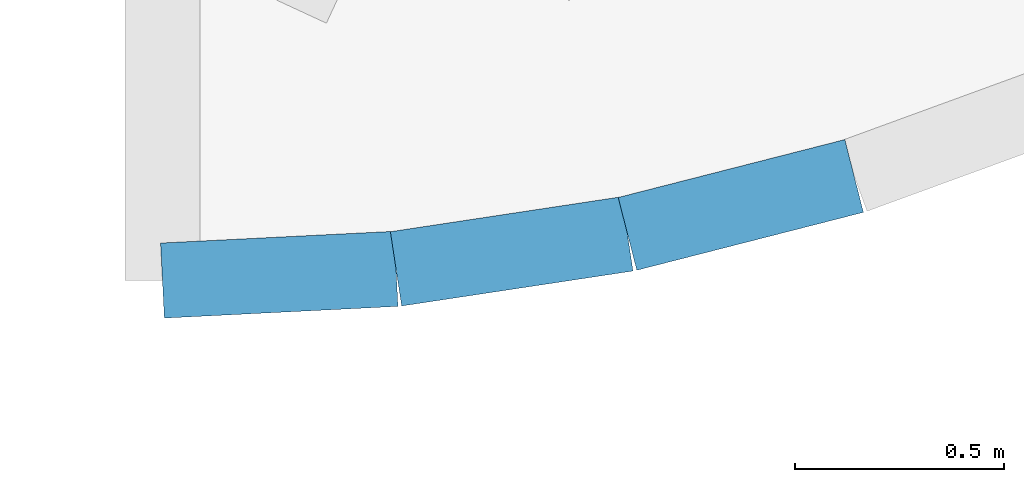
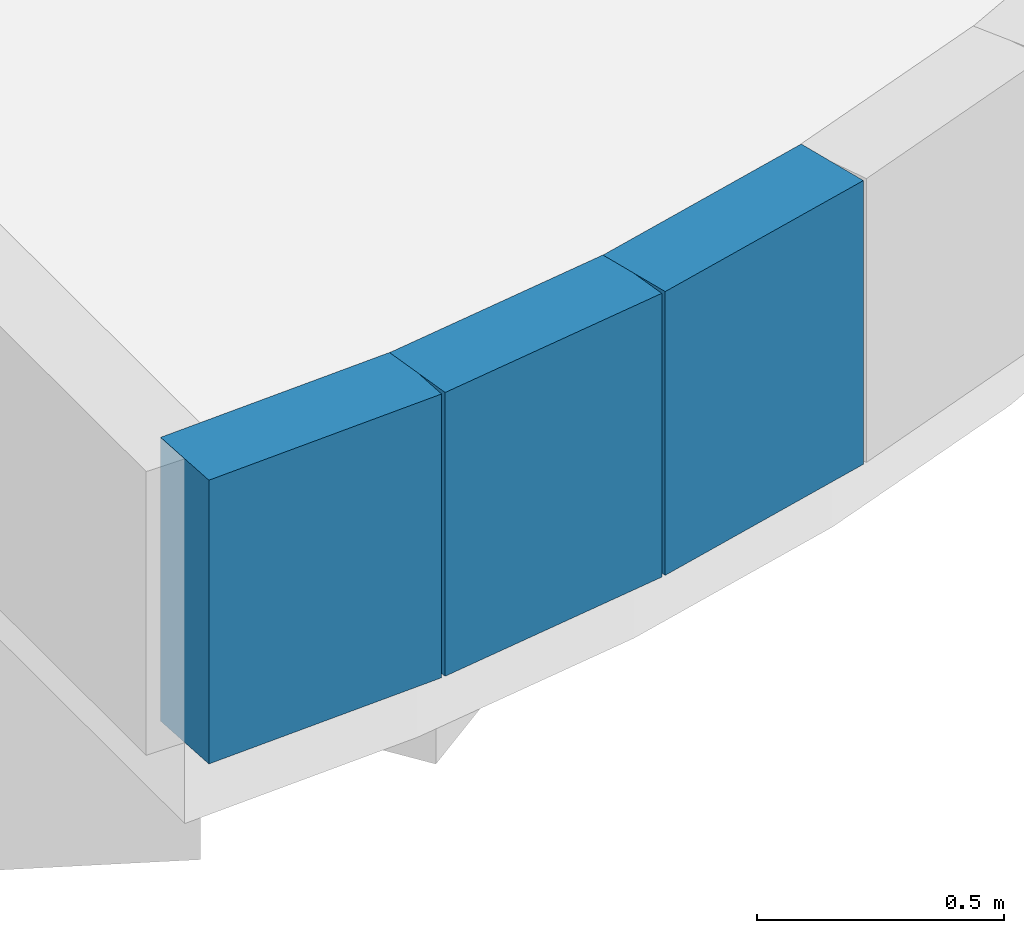
# One storey, part 78 of 93: 3 walls.
"""IFC4 building model written with IfcOpenShell, lengths in metres."""

from ifc_helpers import new_model, si_unit, direction, frame, frame_2d, origin, place, context, subcontext, project, spatial, rectangle, extrude, material, layer, layer_set, type_object, element, save


model = new_model("IFC4")

# Units and contexts
model_context = context("Model", 3, precision=1e-05, world=origin(), true_north=direction((0.0, 1.0)))
body_context = subcontext(model_context, "Body", "Model", "MODEL_VIEW")
ifc_project = project(units=[si_unit("LENGTHUNIT", "METRE"), si_unit("AREAUNIT", "SQUARE_METRE"), si_unit("VOLUMEUNIT", "CUBIC_METRE"), si_unit("PLANEANGLEUNIT", "RADIAN"), si_unit("MASSUNIT", "GRAM", prefix="KILO")], contexts=[model_context])

# Site, building, storey
site_placement = place(None, origin())
site = spatial("IfcSite", under=ifc_project, at=site_placement, CompositionType="ELEMENT")
building_placement = place(site_placement, origin())
building = spatial("IfcBuilding", under=site, at=building_placement, Name="Tide Square Theatres", CompositionType="ELEMENT")
storey_placement = place(building_placement, frame((0.0, 0.0, 5.39990234375)))
storey = spatial("IfcBuildingStorey", under=building, at=storey_placement, Name="L01", CompositionType="ELEMENT", Elevation=5.39990234375)

# Walls
ifc_material = material(Name="Concrete C40", Category="concrete")
ifc_layer = layer(ifc_material, 0.179931640625)
ifc_layer_set = layer_set([ifc_layer], Name="Concrete C40")
wall_type = type_object("IfcWallType", Name="RC parapet 180 thick", PredefinedType="PARAPET", material=ifc_layer_set)
wall_1_placement = place(storey_placement, frame((133.656005859375, 5.150390625, 0.0), z_axis=(0.0, 0.0, 1.0), x_axis=(-0.96887324037, -0.247557355164, 0.0)))
element("IfcWall", 1, at=wall_1_placement, inside=storey, type_object=wall_type, Name="Arcade roof parapet", PredefinedType="PARAPET", context=body_context, shape_type="SweptSolid", body=[
    extrude(rectangle(XDim=0.56005859375, YDim=0.179931640625, at=frame_2d((0.280029296875, 0.0))), origin(), (0.0, 0.0, 1.0), 0.7001953125),
])
wall_2_placement = place(storey_placement, frame((133.11328125, 5.01171875, 0.0), z_axis=(0.0, 0.0, 1.0), x_axis=(-0.988766300345, -0.149469740422, 0.0)))
element("IfcWall", 2, at=wall_2_placement, inside=storey, type_object=wall_type, Name="Arcade roof parapet", PredefinedType="PARAPET", context=body_context, shape_type="SweptSolid", body=[
    extrude(rectangle(XDim=0.560302734375, YDim=0.179931640625, at=frame_2d((0.2802734375, 0.0))), origin(), (0.0, 0.0, 1.0), 0.7001953125),
])
wall_3_placement = place(storey_placement, frame((132.559326171875, 4.927978515625, 0.0), z_axis=(0.0, 0.0, 1.0), x_axis=(-0.998742535479, -0.050133300559, 0.0)))
element("IfcWall", 3, at=wall_3_placement, inside=storey, type_object=wall_type, Name="Arcade roof parapet", PredefinedType="PARAPET", context=body_context, shape_type="SweptSolid", body=[
    extrude(rectangle(XDim=0.56005859375, YDim=0.179931640625, at=frame_2d((0.280029296875, 0.0))), origin(), (0.0, 0.0, 1.0), 0.7001953125),
])

save(model, "model.ifc")
